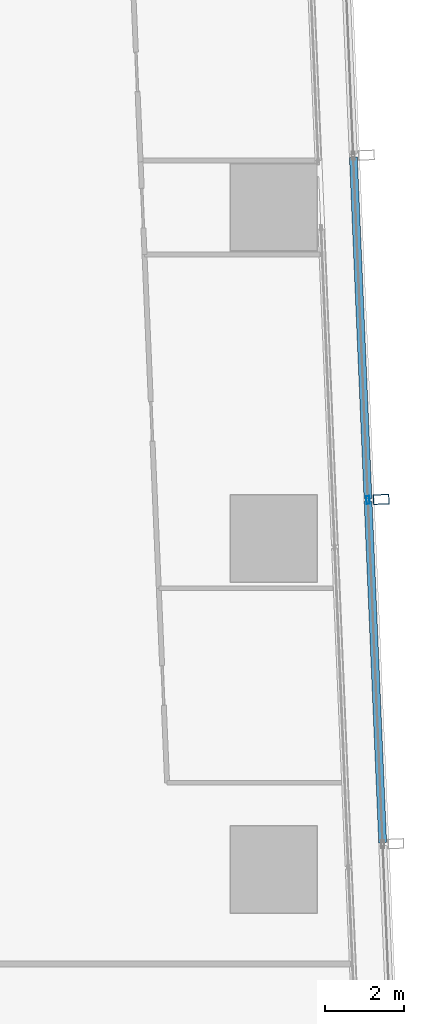
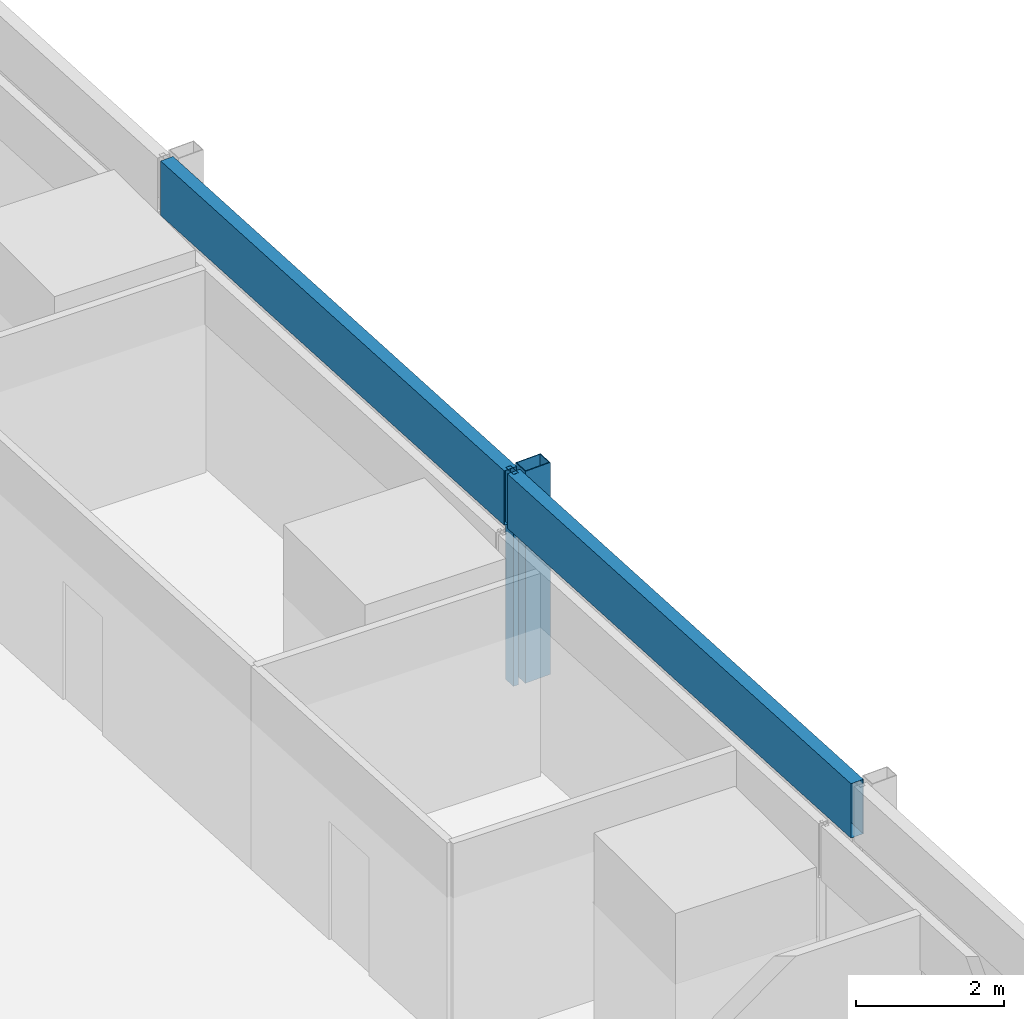
# One storey, part 28 of 45: 4 members, 1 element without a shape of its own.
"""IFC4 building model written with IfcOpenShell, lengths in metres."""

from ifc_helpers import new_model, si_unit, direction, frame, origin, origin_2d, place, context, subcontext, project, spatial, hollow_rectangle, extrude, material, material_profile, profile_set, type_object, element, aggregate, save


model = new_model("IFC4")

# Units and contexts
model_context = context("Model", 3, precision=1e-05, world=origin(), true_north=direction((0.0, 1.0)))
body_context = subcontext(model_context, "Body", "Model", "MODEL_VIEW")
ifc_project = project(units=[si_unit("LENGTHUNIT", "METRE"), si_unit("AREAUNIT", "SQUARE_METRE"), si_unit("VOLUMEUNIT", "CUBIC_METRE"), si_unit("PLANEANGLEUNIT", "RADIAN"), si_unit("MASSUNIT", "GRAM", prefix="KILO")], contexts=[model_context])

# Site, building, storey
site_placement = place(None, origin())
site = spatial("IfcSite", under=ifc_project, at=site_placement, CompositionType="ELEMENT")
building_placement = place(site_placement, origin())
building = spatial("IfcBuilding", under=site, at=building_placement, Name="Rekha Terrace Tower", CompositionType="ELEMENT")
storey_placement = place(building_placement, frame((0.0, 0.0, 32.89990234375)))
storey = spatial("IfcBuildingStorey", under=building, at=storey_placement, Name="L07", CompositionType="ELEMENT", Elevation=32.89990234375)

# Curtain wall, members
ifc_material_1 = material(Name="Aluminium framing", Category="aluminium")
curtain_wall_type = type_object("IfcCurtainWallType", Name="CW2 double skin outer glazing", PredefinedType="USERDEFINED", material=ifc_material_1)
curtain_wall_placement = place(storey_placement, origin())
curtain_wall = element("IfcCurtainWall", 1, at=curtain_wall_placement, inside=storey, type_object=curtain_wall_type, Name="CW2 double skin outer glazing", ObjectType="DOUBLE SKIN OUTER GLAZING", PredefinedType="USERDEFINED")
ifc_material_2 = material(Name="Steel S355 with fluorocarbon finish", Category="steel")
ifc_material_profile_1 = material_profile(ifc_material_2, hollow_rectangle(XDim=0.25, YDim=0.39990234375, WallThickness=0.012451171875, at=origin_2d()), Name="RHS400x250x12.5")
ifc_profile_set_1 = profile_set([ifc_material_profile_1], Name="Steel S355 with fluorocarbon finish")
member_type_1 = type_object("IfcMemberType", Name="BL1 facade blade RHS 400 x 250", PredefinedType="USERDEFINED", material=ifc_profile_set_1)
member_1_placement = place(storey_placement, frame((69.927734375, 42.989013671875, 0.0), z_axis=(0.0, 0.0, 1.0), x_axis=(-0.04269522475, 0.99908814315, 0.0)))
member_1 = element("IfcMember", 2, at=member_1_placement, type_object=member_type_1, Name="Facade blade", ObjectType="FACADE BLADE", PredefinedType="USERDEFINED", context=body_context, shape_type="SweptSolid", body=[
    extrude(hollow_rectangle(XDim=0.25, YDim=0.39990234375, WallThickness=0.012451171875, at=origin_2d()), origin(), (0.0, 0.0, 1.0), 3.5),
])
ifc_material_3 = material(Name="Aluminium mullion section", Category="aluminium")
ifc_material_profile_2 = material_profile(ifc_material_3, hollow_rectangle(XDim=0.080078125, YDim=0.199951171875, WallThickness=0.00390625, at=origin_2d()), Name="AL RHS 80x200")
ifc_profile_set_2 = profile_set([ifc_material_profile_2], Name="Aluminium mullion section")
member_type_2 = type_object("IfcMemberType", Name="CW2 mullion RHS 80 x 200", PredefinedType="MULLION", material=ifc_profile_set_2)
member_2_placement = place(storey_placement, frame((69.593017578125, 42.974609375, 0.0), z_axis=(0.0, 0.0, 1.0), x_axis=(-0.999088106903, -0.042696072956, 0.0)))
member_2 = element("IfcMember", 3, at=member_2_placement, type_object=member_type_2, Name="CW2 mullion 3", PredefinedType="MULLION", context=body_context, shape_type="SweptSolid", body=[
    extrude(hollow_rectangle(XDim=0.080078125, YDim=0.199951171875, WallThickness=0.00390625, at=origin_2d()), origin(), (0.0, 0.0, 1.0), 3.5),
])
ifc_material_4 = material(Name="Insulated aluminium spandrel box", Category="aluminium")
ifc_material_profile_3 = material_profile(ifc_material_4, hollow_rectangle(XDim=0.199951171875, YDim=0.89990234375, WallThickness=0.0029296875, at=origin_2d()), Name="AL SPANDREL BOX 200x900")
ifc_profile_set_3 = profile_set([ifc_material_profile_3], Name="Insulated aluminium spandrel box")
member_type_3 = type_object("IfcMemberType", Name="CW2 spandrel transom 200 x 900", PredefinedType="USERDEFINED", material=ifc_profile_set_3)
member_3_placement = place(storey_placement, frame((69.964599609375, 34.27880859375, 3.050048828125), z_axis=(-0.042692466729, 0.999088261008, 0.0), x_axis=(-0.999088261008, -0.042692466729, 0.0)))
member_3 = element("IfcMember", 4, at=member_3_placement, type_object=member_type_3, Name="CW2 spandrel transom 2", ObjectType="TRANSOM", PredefinedType="USERDEFINED", context=body_context, shape_type="SweptSolid", body=[
    extrude(hollow_rectangle(XDim=0.199951171875, YDim=0.89990234375, WallThickness=0.0029296875, at=origin_2d()), origin(), (0.0, 0.0, 1.0), 8.66357421875),
])
member_4_placement = place(storey_placement, frame((69.59130859375, 43.014404296875, 3.050048828125), z_axis=(-0.042691264793, 0.999088312368, 0.0), x_axis=(-0.999088312368, -0.042691264793, 0.0)))
member_4 = element("IfcMember", 5, at=member_4_placement, type_object=member_type_3, Name="CW2 spandrel transom 3", ObjectType="TRANSOM", PredefinedType="USERDEFINED", context=body_context, shape_type="SweptSolid", body=[
    extrude(hollow_rectangle(XDim=0.199951171875, YDim=0.89990234375, WallThickness=0.0029296875, at=origin_2d()), origin(), (0.0, 0.0, 1.0), 8.663818359375),
])
aggregate(curtain_wall, [member_2, member_3, member_4, member_1])

save(model, "model.ifc")
